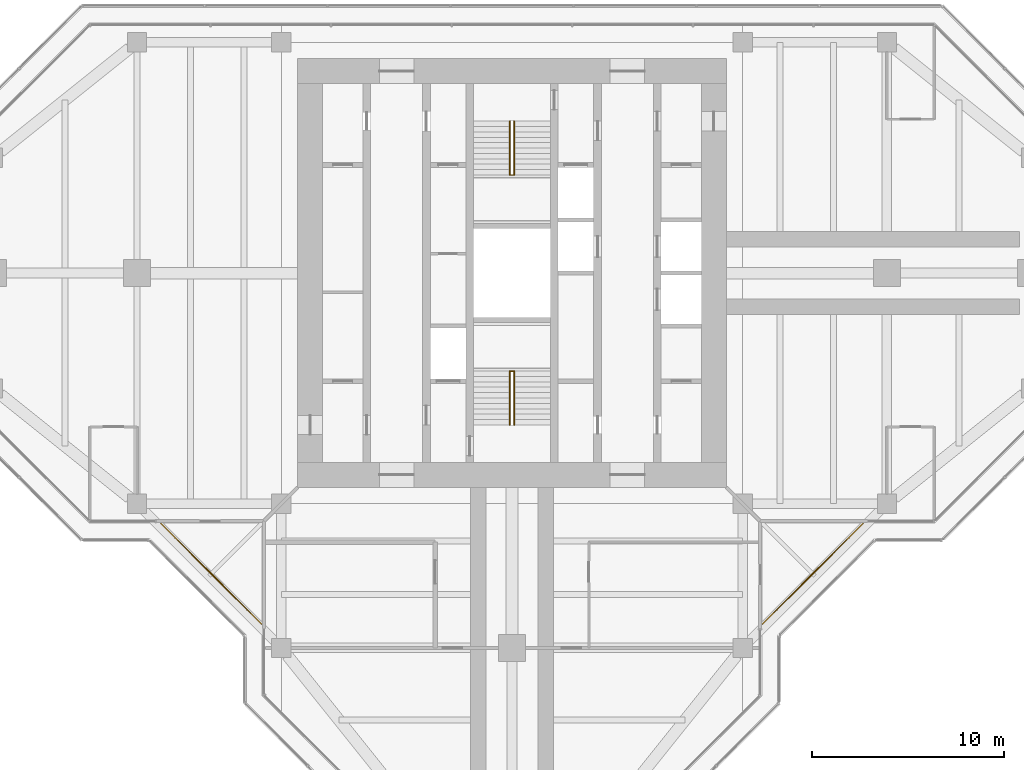
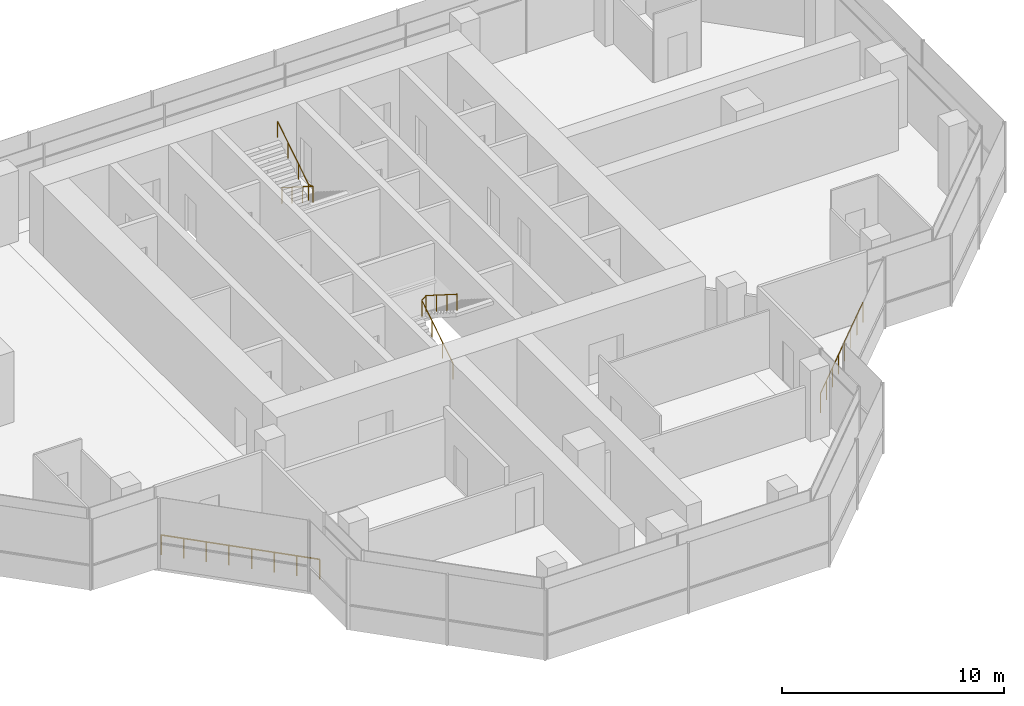
# One storey, part 15 of 15: 4 railings.
"""IFC4 building model written with IfcOpenShell, lengths in metres."""

from ifc_helpers import new_model, si_unit, direction, frame, origin, origin_2d, place, context, subcontext, project, spatial, circle, extrude, material, type_object, element, save


model = new_model("IFC4")

# Units and contexts
model_context = context("Model", 3, precision=1e-05, world=origin(), true_north=direction((0.0, 1.0)))
body_context = subcontext(model_context, "Body", "Model", "MODEL_VIEW")
ifc_project = project(units=[si_unit("LENGTHUNIT", "METRE"), si_unit("AREAUNIT", "SQUARE_METRE"), si_unit("VOLUMEUNIT", "CUBIC_METRE"), si_unit("PLANEANGLEUNIT", "RADIAN"), si_unit("MASSUNIT", "GRAM", prefix="KILO")], contexts=[model_context])

# Site, building, storey
site_placement = place(None, origin())
site = spatial("IfcSite", under=ifc_project, at=site_placement, CompositionType="ELEMENT")
building_placement = place(site_placement, origin())
building = spatial("IfcBuilding", under=site, at=building_placement, Name="Mizan Broadcast Tower", CompositionType="ELEMENT")
storey_placement = place(building_placement, frame((0.0, 0.0, 286.800048828125)))
storey = spatial("IfcBuildingStorey", under=building, at=storey_placement, Name="L68", CompositionType="ELEMENT", Elevation=286.800048828125)

# Railings
ifc_material_1 = material(Name="Stainless steel and glass guard", Category="steel")
railing_type_1 = type_object("IfcRailingType", Name="GUARD 1100", PredefinedType="GUARDRAIL", material=ifc_material_1)
railing_1_placement = place(storey_placement, frame((-18.2578125, -13.030029296875, 0.0)))
element("IfcRailing", 1, at=railing_1_placement, inside=storey, type_object=railing_type_1, Name="Winter garden guard L68 W", PredefinedType="GUARDRAIL", context=body_context, shape_type="SweptSolid", body=[
    extrude(circle(Radius=0.02392578125, at=origin_2d()), frame((0.0, 0.0, 1.076171875), z_axis=(0.707106781187, -0.707106781187, 0.0), x_axis=(0.707106781187, 0.707106781187, 0.0)), (0.0, 0.0, 1.0), 7.393310546875),
    extrude(circle(Radius=0.02099609375, at=origin_2d()), origin(), (0.0, 0.0, 1.0), 1.052001953125),
    extrude(circle(Radius=0.02099609375, at=origin_2d()), frame((0.746826171875, -0.746826171875, 0.0)), (0.0, 0.0, 1.0), 1.052001953125),
    extrude(circle(Radius=0.02099609375, at=origin_2d()), frame((1.49365234375, -1.49365234375, 0.0)), (0.0, 0.0, 1.0), 1.052001953125),
    extrude(circle(Radius=0.02099609375, at=origin_2d()), frame((2.240478515625, -2.240478515625, 0.0)), (0.0, 0.0, 1.0), 1.052001953125),
    extrude(circle(Radius=0.02099609375, at=origin_2d()), frame((2.9873046875, -2.9873046875, 0.0)), (0.0, 0.0, 1.0), 1.052001953125),
    extrude(circle(Radius=0.02099609375, at=origin_2d()), frame((3.734130859375, -3.734130859375, 0.0)), (0.0, 0.0, 1.0), 1.052001953125),
    extrude(circle(Radius=0.02099609375, at=origin_2d()), frame((4.48095703125, -4.48095703125, 0.0)), (0.0, 0.0, 1.0), 1.052001953125),
    extrude(circle(Radius=0.02099609375, at=origin_2d()), frame((5.227783203125, -5.227783203125, 0.0)), (0.0, 0.0, 1.0), 1.052001953125),
])
railing_2_placement = place(storey_placement, frame((13.030029296875, -18.2578125, 0.0)))
element("IfcRailing", 2, at=railing_2_placement, inside=storey, type_object=railing_type_1, Name="Winter garden guard L68 S", PredefinedType="GUARDRAIL", context=body_context, shape_type="SweptSolid", body=[
    extrude(circle(Radius=0.02392578125, at=origin_2d()), frame((0.0, 0.0, 1.076171875), z_axis=(0.707106781187, 0.707106781187, 0.0), x_axis=(-0.707106781187, 0.707106781187, 0.0)), (0.0, 0.0, 1.0), 7.393310546875),
    extrude(circle(Radius=0.02099609375, at=origin_2d()), origin(), (0.0, 0.0, 1.0), 1.052001953125),
    extrude(circle(Radius=0.02099609375, at=origin_2d()), frame((0.746826171875, 0.746826171875, 0.0)), (0.0, 0.0, 1.0), 1.052001953125),
    extrude(circle(Radius=0.02099609375, at=origin_2d()), frame((1.49365234375, 1.49365234375, 0.0)), (0.0, 0.0, 1.0), 1.052001953125),
    extrude(circle(Radius=0.02099609375, at=origin_2d()), frame((2.240478515625, 2.240478515625, 0.0)), (0.0, 0.0, 1.0), 1.052001953125),
    extrude(circle(Radius=0.02099609375, at=origin_2d()), frame((2.9873046875, 2.9873046875, 0.0)), (0.0, 0.0, 1.0), 1.052001953125),
    extrude(circle(Radius=0.02099609375, at=origin_2d()), frame((3.734130859375, 3.734130859375, 0.0)), (0.0, 0.0, 1.0), 1.052001953125),
    extrude(circle(Radius=0.02099609375, at=origin_2d()), frame((4.48095703125, 4.48095703125, 0.0)), (0.0, 0.0, 1.0), 1.052001953125),
    extrude(circle(Radius=0.02099609375, at=origin_2d()), frame((5.227783203125, 5.227783203125, 0.0)), (0.0, 0.0, 1.0), 1.052001953125),
])
ifc_material_2 = material(Name="Stainless steel", Category="steel")
railing_type_2 = type_object("IfcRailingType", Name="HANDRAIL 50", PredefinedType="HANDRAIL", material=ifc_material_2)
railing_3_placement = place(storey_placement, frame((-0.110107421875, -7.89990234375, 0.17724609375)))
element("IfcRailing", 3, at=railing_3_placement, inside=storey, type_object=railing_type_2, Name="Stair A handrail", PredefinedType="HANDRAIL", context=body_context, shape_type="SweptSolid", body=[
    extrude(circle(Radius=0.02392578125, at=origin_2d()), frame((0.0, 0.0, 0.8759765625), z_axis=(0.0, 0.844887892834, 0.53494340686), x_axis=(-1.0, 0.0, 0.0)), (0.0, 0.0, 1.0), 3.313720703125),
    extrude(circle(Radius=0.02392578125, at=origin_2d()), frame((0.0, 2.7998046875, 2.6484375), z_axis=(0.779011685263, 0.0, 0.627009405212), x_axis=(0.0, 1.0, 0.0)), (0.0, 0.0, 1.0), 0.28271484375),
    extrude(circle(Radius=0.02392578125, at=origin_2d()), frame((0.22021484375, 2.7998046875, 2.82568359375), z_axis=(0.0, -0.844887892834, 0.53494340686), x_axis=(1.0, 0.0, 0.0)), (0.0, 0.0, 1.0), 3.313720703125),
    extrude(circle(Radius=0.02099609375, at=origin_2d()), origin(), (0.0, 0.0, 1.0), 0.851806640625),
    extrude(circle(Radius=0.02099609375, at=origin_2d()), frame((0.0, 0.933349609375, 0.5908203125)), (0.0, 0.0, 1.0), 0.851806640625),
    extrude(circle(Radius=0.02099609375, at=origin_2d()), frame((0.0, 1.866455078125, 1.181884765625)), (0.0, 0.0, 1.0), 0.851806640625),
    extrude(circle(Radius=0.02099609375, at=origin_2d()), frame((0.0, 2.7998046875, 1.772705078125)), (0.0, 0.0, 1.0), 0.851806640625),
    extrude(circle(Radius=0.02099609375, at=origin_2d()), frame((0.22021484375, 2.7998046875, 1.949951171875)), (0.0, 0.0, 1.0), 0.851806640625),
    extrude(circle(Radius=0.02099609375, at=origin_2d()), frame((0.22021484375, 1.866455078125, 2.540771484375)), (0.0, 0.0, 1.0), 0.851806640625),
    extrude(circle(Radius=0.02099609375, at=origin_2d()), frame((0.22021484375, 0.933349609375, 3.1318359375)), (0.0, 0.0, 1.0), 0.851806640625),
    extrude(circle(Radius=0.02099609375, at=origin_2d()), frame((0.22021484375, 0.0, 3.72265625)), (0.0, 0.0, 1.0), 0.851806640625),
])
railing_4_placement = place(storey_placement, frame((0.110107421875, 7.89990234375, 0.17724609375)))
element("IfcRailing", 4, at=railing_4_placement, inside=storey, type_object=railing_type_2, Name="Stair B handrail", PredefinedType="HANDRAIL", context=body_context, shape_type="SweptSolid", body=[
    extrude(circle(Radius=0.02392578125, at=origin_2d()), frame((0.0, 0.0, 0.8759765625), z_axis=(0.0, -0.844887892834, 0.53494340686), x_axis=(1.0, 0.0, 0.0)), (0.0, 0.0, 1.0), 3.313720703125),
    extrude(circle(Radius=0.02392578125, at=origin_2d()), frame((0.0, -2.7998046875, 2.6484375), z_axis=(-0.779011685263, 0.0, 0.627009405212), x_axis=(0.0, -1.0, 0.0)), (0.0, 0.0, 1.0), 0.28271484375),
    extrude(circle(Radius=0.02392578125, at=origin_2d()), frame((-0.22021484375, -2.7998046875, 2.82568359375), z_axis=(0.0, 0.844887892834, 0.53494340686), x_axis=(-1.0, 0.0, 0.0)), (0.0, 0.0, 1.0), 3.313720703125),
    extrude(circle(Radius=0.02099609375, at=origin_2d()), origin(), (0.0, 0.0, 1.0), 0.851806640625),
    extrude(circle(Radius=0.02099609375, at=origin_2d()), frame((0.0, -0.933349609375, 0.5908203125)), (0.0, 0.0, 1.0), 0.851806640625),
    extrude(circle(Radius=0.02099609375, at=origin_2d()), frame((0.0, -1.866455078125, 1.181884765625)), (0.0, 0.0, 1.0), 0.851806640625),
    extrude(circle(Radius=0.02099609375, at=origin_2d()), frame((0.0, -2.7998046875, 1.772705078125)), (0.0, 0.0, 1.0), 0.851806640625),
    extrude(circle(Radius=0.02099609375, at=origin_2d()), frame((-0.22021484375, -2.7998046875, 1.949951171875)), (0.0, 0.0, 1.0), 0.851806640625),
    extrude(circle(Radius=0.02099609375, at=origin_2d()), frame((-0.22021484375, -1.866455078125, 2.540771484375)), (0.0, 0.0, 1.0), 0.851806640625),
    extrude(circle(Radius=0.02099609375, at=origin_2d()), frame((-0.22021484375, -0.933349609375, 3.1318359375)), (0.0, 0.0, 1.0), 0.851806640625),
    extrude(circle(Radius=0.02099609375, at=origin_2d()), frame((-0.22021484375, 0.0, 3.72265625)), (0.0, 0.0, 1.0), 0.851806640625),
])

save(model, "model.ifc")
